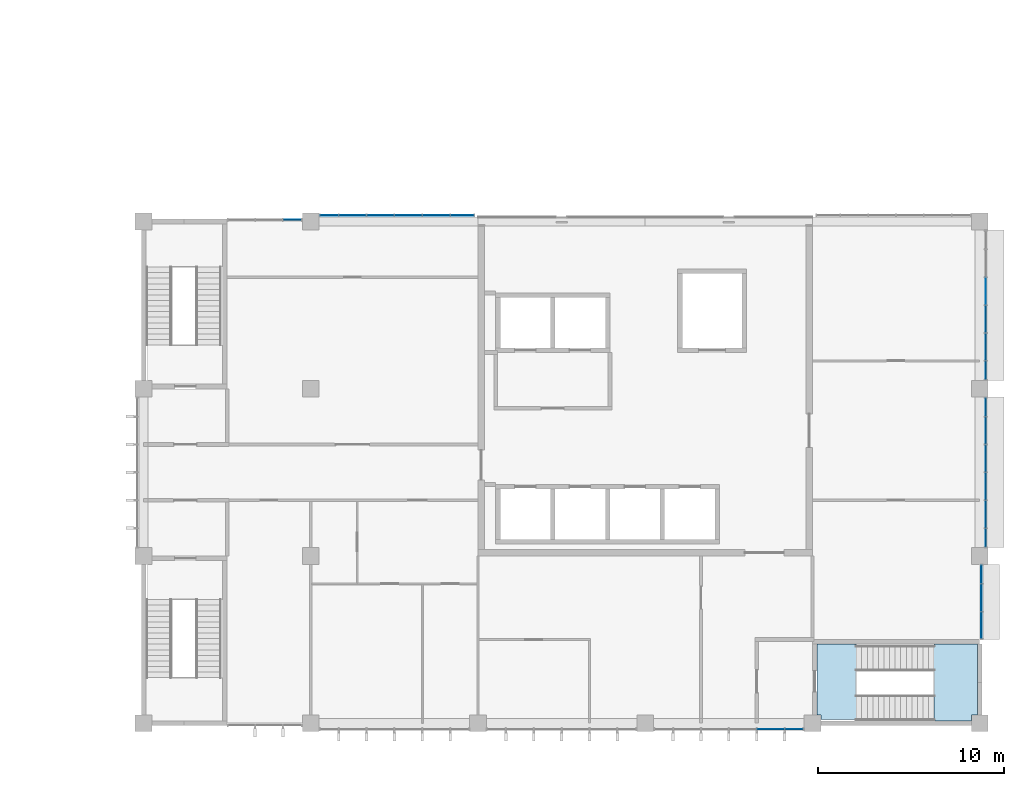
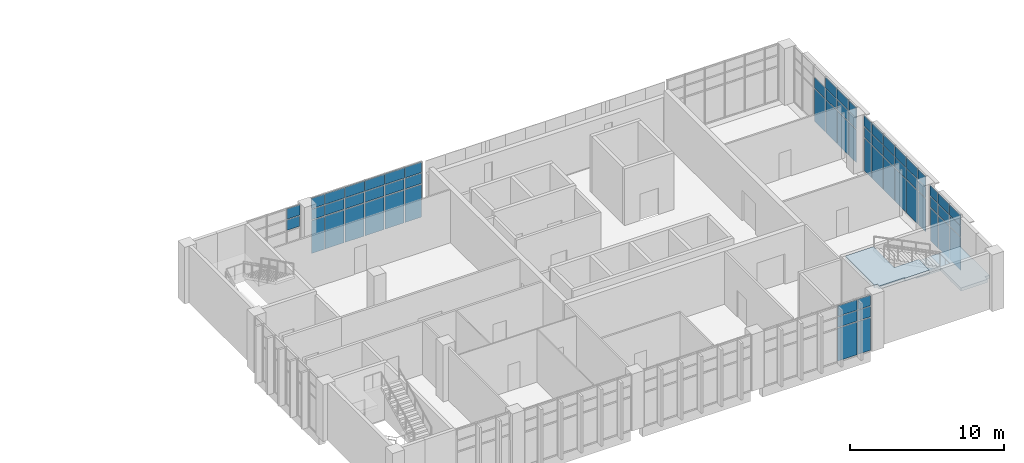
# One storey, part 24 of 45: 64 plates, 2 slabs, 7 elements without a shape of their own.
"""IFC4 building model written with IfcOpenShell, lengths in metres."""

from ifc_helpers import new_model, si_unit, direction, frame, origin, origin_2d, place, context, subcontext, project, spatial, polyline, rectangle, outline, extrude, material, layer, layer_set, type_object, element, aggregate, save


model = new_model("IFC4")

# Units and contexts
model_context = context("Model", 3, precision=1e-05, world=origin(), true_north=direction((0.0, 1.0)))
body_context = subcontext(model_context, "Body", "Model", "MODEL_VIEW")
ifc_project = project(units=[si_unit("LENGTHUNIT", "METRE"), si_unit("AREAUNIT", "SQUARE_METRE"), si_unit("VOLUMEUNIT", "CUBIC_METRE"), si_unit("PLANEANGLEUNIT", "RADIAN"), si_unit("MASSUNIT", "GRAM", prefix="KILO")], contexts=[model_context])

# Site, building, storey
site_placement = place(None, origin())
site = spatial("IfcSite", under=ifc_project, at=site_placement, CompositionType="ELEMENT")
building_placement = place(site_placement, origin())
building = spatial("IfcBuilding", under=site, at=building_placement, Name="Guidao Yard Department Store", CompositionType="ELEMENT")
storey_placement = place(building_placement, frame((0.0, 0.0, 19.5)))
storey = spatial("IfcBuildingStorey", under=building, at=storey_placement, Name="L04", CompositionType="ELEMENT", Elevation=19.5)

# Curtain wall, plates
ifc_material_1 = material(Name="Aluminium and glass", Category="aluminium")
ifc_layer_1 = layer(ifc_material_1, 0.159912109375)
ifc_layer_set_1 = layer_set([ifc_layer_1], Name="Unitised curtain wall CW4 1500 module")
curtain_wall_type = type_object("IfcCurtainWallType", Name="Unitised curtain wall CW4 1500 module", PredefinedType="NOTDEFINED", material=ifc_layer_set_1)
curtain_wall_1_placement = place(storey_placement, origin())
curtain_wall_1 = element("IfcCurtainWall", 1, at=curtain_wall_1_placement, inside=storey, type_object=curtain_wall_type, Name="Unitised curtain wall", PredefinedType="NOTDEFINED")
ifc_material_2 = material(Name="Aluminium 6063-T5 faced insulated spandrel", Category="aluminium")
ifc_layer_2 = layer(ifc_material_2, 0.06005859375)
ifc_layer_set_2 = layer_set([ifc_layer_2], Name="Spandrel panel SP1 insulated opaque")
plate_type_1 = type_object("IfcPlateType", Name="Spandrel panel SP1 insulated opaque", PredefinedType="CURTAIN_PANEL", material=ifc_layer_set_2)
plate_1_placement = place(storey_placement, frame((159.75, -0.330078125, 3.6298828125), z_axis=(0.0, 0.0, 1.0), x_axis=(-1.0, 0.0, 0.0)))
plate_1 = element("IfcPlate", 2, at=plate_1_placement, type_object=plate_type_1, Name="CW-OW-L04-04 panel 5.3", PredefinedType="CURTAIN_PANEL", context=body_context, shape_type="SweptSolid", body=[
    extrude(rectangle(XDim=1.43994140625, YDim=0.06005859375, at=origin_2d()), origin(), (0.0, 0.0, 1.0), 0.81005859375),
])
plate_2_placement = place(storey_placement, frame((161.010009765625, -0.330078125, 3.6298828125), z_axis=(0.0, 0.0, 1.0), x_axis=(-1.0, 0.0, 0.0)))
plate_2 = element("IfcPlate", 3, at=plate_2_placement, type_object=plate_type_1, Name="CW-OW-L04-04 panel 6.3", PredefinedType="CURTAIN_PANEL", context=body_context, shape_type="SweptSolid", body=[
    extrude(rectangle(XDim=0.9599609375, YDim=0.06005859375, at=origin_2d()), origin(), (0.0, 0.0, 1.0), 0.81005859375),
])

# Curtain wall, plate
curtain_wall_2_placement = place(storey_placement, origin())
curtain_wall_2 = element("IfcCurtainWall", 4, at=curtain_wall_2_placement, inside=storey, type_object=curtain_wall_type, Name="Unitised curtain wall", PredefinedType="NOTDEFINED")
plate_3_placement = place(storey_placement, frame((134.010009765625, 27.10009765625, 3.6298828125), z_axis=(0.0, 0.0, 1.0), x_axis=(1.0, 0.0, 0.0)))
plate_3 = element("IfcPlate", 5, at=plate_3_placement, type_object=plate_type_1, Name="CW-OW-L04-06 panel 3.3", PredefinedType="CURTAIN_PANEL", context=body_context, shape_type="SweptSolid", body=[
    extrude(rectangle(XDim=0.9599609375, YDim=0.06005859375, at=origin_2d()), origin(), (0.0, 0.0, 1.0), 0.81005859375),
])

# Curtain wall, plates
curtain_wall_3_placement = place(storey_placement, origin())
curtain_wall_3 = element("IfcCurtainWall", 6, at=curtain_wall_3_placement, inside=storey, type_object=curtain_wall_type, Name="Unitised curtain wall", PredefinedType="NOTDEFINED")
plate_4_placement = place(storey_placement, frame((135.989990234375, 27.330078125, 3.6298828125), z_axis=(0.0, 0.0, 1.0), x_axis=(1.0, 0.0, 0.0)))
plate_4 = element("IfcPlate", 7, at=plate_4_placement, type_object=plate_type_1, Name="CW-OW-L04-07 panel 1.3", PredefinedType="CURTAIN_PANEL", context=body_context, shape_type="SweptSolid", body=[
    extrude(rectangle(XDim=0.9599609375, YDim=0.06005859375, at=origin_2d()), origin(), (0.0, 0.0, 1.0), 0.81005859375),
])
plate_5_placement = place(storey_placement, frame((137.25, 27.330078125, 3.6298828125), z_axis=(0.0, 0.0, 1.0), x_axis=(1.0, 0.0, 0.0)))
plate_5 = element("IfcPlate", 8, at=plate_5_placement, type_object=plate_type_1, Name="CW-OW-L04-07 panel 2.3", PredefinedType="CURTAIN_PANEL", context=body_context, shape_type="SweptSolid", body=[
    extrude(rectangle(XDim=1.43994140625, YDim=0.06005859375, at=origin_2d()), origin(), (0.0, 0.0, 1.0), 0.81005859375),
])
plate_6_placement = place(storey_placement, frame((138.75, 27.330078125, 3.6298828125), z_axis=(0.0, 0.0, 1.0), x_axis=(1.0, 0.0, 0.0)))
plate_6 = element("IfcPlate", 9, at=plate_6_placement, type_object=plate_type_1, Name="CW-OW-L04-07 panel 3.3", PredefinedType="CURTAIN_PANEL", context=body_context, shape_type="SweptSolid", body=[
    extrude(rectangle(XDim=1.43994140625, YDim=0.06005859375, at=origin_2d()), origin(), (0.0, 0.0, 1.0), 0.81005859375),
])
plate_7_placement = place(storey_placement, frame((140.25, 27.330078125, 3.6298828125), z_axis=(0.0, 0.0, 1.0), x_axis=(1.0, 0.0, 0.0)))
plate_7 = element("IfcPlate", 10, at=plate_7_placement, type_object=plate_type_1, Name="CW-OW-L04-07 panel 4.3", PredefinedType="CURTAIN_PANEL", context=body_context, shape_type="SweptSolid", body=[
    extrude(rectangle(XDim=1.43994140625, YDim=0.06005859375, at=origin_2d()), origin(), (0.0, 0.0, 1.0), 0.81005859375),
])
plate_8_placement = place(storey_placement, frame((141.75, 27.330078125, 3.6298828125), z_axis=(0.0, 0.0, 1.0), x_axis=(1.0, 0.0, 0.0)))
plate_8 = element("IfcPlate", 11, at=plate_8_placement, type_object=plate_type_1, Name="CW-OW-L04-07 panel 5.3", PredefinedType="CURTAIN_PANEL", context=body_context, shape_type="SweptSolid", body=[
    extrude(rectangle(XDim=1.43994140625, YDim=0.06005859375, at=origin_2d()), origin(), (0.0, 0.0, 1.0), 0.81005859375),
])
plate_9_placement = place(storey_placement, frame((143.1474609375, 27.330078125, 3.6298828125), z_axis=(0.0, 0.0, 1.0), x_axis=(1.0, 0.0, 0.0)))
plate_9 = element("IfcPlate", 12, at=plate_9_placement, type_object=plate_type_1, Name="CW-OW-L04-07 panel 6.3", PredefinedType="CURTAIN_PANEL", context=body_context, shape_type="SweptSolid", body=[
    extrude(rectangle(XDim=1.235107421875, YDim=0.06005859375, at=origin_2d()), origin(), (0.0, 0.0, 1.0), 0.81005859375),
])

curtain_wall_4_placement = place(storey_placement, origin())
curtain_wall_4 = element("IfcCurtainWall", 13, at=curtain_wall_4_placement, inside=storey, type_object=curtain_wall_type, Name="Unitised curtain wall", PredefinedType="NOTDEFINED")
plate_10_placement = place(storey_placement, frame((171.10009765625, 5.264892578125, 3.6298828125), z_axis=(0.0, 0.0, 1.0), x_axis=(0.0, -1.0, 0.0)))
plate_10 = element("IfcPlate", 14, at=plate_10_placement, type_object=plate_type_1, Name="CW-OW-L04-09 panel 1.3", PredefinedType="CURTAIN_PANEL", context=body_context, shape_type="SweptSolid", body=[
    extrude(rectangle(XDim=1.409912109375, YDim=0.06005859375, at=origin_2d()), origin(), (0.0, 0.0, 1.0), 0.81005859375),
])
plate_11_placement = place(storey_placement, frame((171.10009765625, 6.75, 3.6298828125), z_axis=(0.0, 0.0, 1.0), x_axis=(0.0, -1.0, 0.0)))
plate_11 = element("IfcPlate", 15, at=plate_11_placement, type_object=plate_type_1, Name="CW-OW-L04-09 panel 2.3", PredefinedType="CURTAIN_PANEL", context=body_context, shape_type="SweptSolid", body=[
    extrude(rectangle(XDim=1.43994140625, YDim=0.06005859375, at=origin_2d()), origin(), (0.0, 0.0, 1.0), 0.81005859375),
])
plate_12_placement = place(storey_placement, frame((171.10009765625, 8.010009765625, 3.6298828125), z_axis=(0.0, 0.0, 1.0), x_axis=(0.0, -1.0, 0.0)))
plate_12 = element("IfcPlate", 16, at=plate_12_placement, type_object=plate_type_1, Name="CW-OW-L04-09 panel 3.3", PredefinedType="CURTAIN_PANEL", context=body_context, shape_type="SweptSolid", body=[
    extrude(rectangle(XDim=0.9599609375, YDim=0.06005859375, at=origin_2d()), origin(), (0.0, 0.0, 1.0), 0.81005859375),
])

curtain_wall_5_placement = place(storey_placement, origin())
curtain_wall_5 = element("IfcCurtainWall", 17, at=curtain_wall_5_placement, inside=storey, type_object=curtain_wall_type, Name="Unitised curtain wall", PredefinedType="NOTDEFINED")
plate_13_placement = place(storey_placement, frame((171.330078125, 9.989990234375, 3.6298828125), z_axis=(0.0, 0.0, 1.0), x_axis=(0.0, -1.0, 0.0)))
plate_13 = element("IfcPlate", 18, at=plate_13_placement, type_object=plate_type_1, Name="CW-OW-L04-10 panel 1.3", PredefinedType="CURTAIN_PANEL", context=body_context, shape_type="SweptSolid", body=[
    extrude(rectangle(XDim=0.9599609375, YDim=0.06005859375, at=origin_2d()), origin(), (0.0, 0.0, 1.0), 0.81005859375),
])
plate_14_placement = place(storey_placement, frame((171.330078125, 11.25, 3.6298828125), z_axis=(0.0, 0.0, 1.0), x_axis=(0.0, -1.0, 0.0)))
plate_14 = element("IfcPlate", 19, at=plate_14_placement, type_object=plate_type_1, Name="CW-OW-L04-10 panel 2.3", PredefinedType="CURTAIN_PANEL", context=body_context, shape_type="SweptSolid", body=[
    extrude(rectangle(XDim=1.43994140625, YDim=0.06005859375, at=origin_2d()), origin(), (0.0, 0.0, 1.0), 0.81005859375),
])
plate_15_placement = place(storey_placement, frame((171.330078125, 12.75, 3.6298828125), z_axis=(0.0, 0.0, 1.0), x_axis=(0.0, -1.0, 0.0)))
plate_15 = element("IfcPlate", 20, at=plate_15_placement, type_object=plate_type_1, Name="CW-OW-L04-10 panel 3.3", PredefinedType="CURTAIN_PANEL", context=body_context, shape_type="SweptSolid", body=[
    extrude(rectangle(XDim=1.43994140625, YDim=0.06005859375, at=origin_2d()), origin(), (0.0, 0.0, 1.0), 0.81005859375),
])
plate_16_placement = place(storey_placement, frame((171.330078125, 14.25, 3.6298828125), z_axis=(0.0, 0.0, 1.0), x_axis=(0.0, -1.0, 0.0)))
plate_16 = element("IfcPlate", 21, at=plate_16_placement, type_object=plate_type_1, Name="CW-OW-L04-10 panel 4.3", PredefinedType="CURTAIN_PANEL", context=body_context, shape_type="SweptSolid", body=[
    extrude(rectangle(XDim=1.43994140625, YDim=0.06005859375, at=origin_2d()), origin(), (0.0, 0.0, 1.0), 0.81005859375),
])
plate_17_placement = place(storey_placement, frame((171.330078125, 15.75, 3.6298828125), z_axis=(0.0, 0.0, 1.0), x_axis=(0.0, -1.0, 0.0)))
plate_17 = element("IfcPlate", 22, at=plate_17_placement, type_object=plate_type_1, Name="CW-OW-L04-10 panel 5.3", PredefinedType="CURTAIN_PANEL", context=body_context, shape_type="SweptSolid", body=[
    extrude(rectangle(XDim=1.43994140625, YDim=0.06005859375, at=origin_2d()), origin(), (0.0, 0.0, 1.0), 0.81005859375),
])
plate_18_placement = place(storey_placement, frame((171.330078125, 17.010009765625, 3.6298828125), z_axis=(0.0, 0.0, 1.0), x_axis=(0.0, -1.0, 0.0)))
plate_18 = element("IfcPlate", 23, at=plate_18_placement, type_object=plate_type_1, Name="CW-OW-L04-10 panel 6.3", PredefinedType="CURTAIN_PANEL", context=body_context, shape_type="SweptSolid", body=[
    extrude(rectangle(XDim=0.9599609375, YDim=0.06005859375, at=origin_2d()), origin(), (0.0, 0.0, 1.0), 0.81005859375),
])

curtain_wall_6_placement = place(storey_placement, origin())
curtain_wall_6 = element("IfcCurtainWall", 24, at=curtain_wall_6_placement, inside=storey, type_object=curtain_wall_type, Name="Unitised curtain wall", PredefinedType="NOTDEFINED")
plate_19_placement = place(storey_placement, frame((171.330078125, 18.989990234375, 3.6298828125), z_axis=(0.0, 0.0, 1.0), x_axis=(0.0, -1.0, 0.0)))
plate_19 = element("IfcPlate", 25, at=plate_19_placement, type_object=plate_type_1, Name="CW-OW-L04-11 panel 1.3", PredefinedType="CURTAIN_PANEL", context=body_context, shape_type="SweptSolid", body=[
    extrude(rectangle(XDim=0.9599609375, YDim=0.06005859375, at=origin_2d()), origin(), (0.0, 0.0, 1.0), 0.81005859375),
])
plate_20_placement = place(storey_placement, frame((171.330078125, 20.25, 3.6298828125), z_axis=(0.0, 0.0, 1.0), x_axis=(0.0, -1.0, 0.0)))
plate_20 = element("IfcPlate", 26, at=plate_20_placement, type_object=plate_type_1, Name="CW-OW-L04-11 panel 2.3", PredefinedType="CURTAIN_PANEL", context=body_context, shape_type="SweptSolid", body=[
    extrude(rectangle(XDim=1.43994140625, YDim=0.06005859375, at=origin_2d()), origin(), (0.0, 0.0, 1.0), 0.81005859375),
])
plate_21_placement = place(storey_placement, frame((171.330078125, 21.75, 3.6298828125), z_axis=(0.0, 0.0, 1.0), x_axis=(0.0, -1.0, 0.0)))
plate_21 = element("IfcPlate", 27, at=plate_21_placement, type_object=plate_type_1, Name="CW-OW-L04-11 panel 3.3", PredefinedType="CURTAIN_PANEL", context=body_context, shape_type="SweptSolid", body=[
    extrude(rectangle(XDim=1.43994140625, YDim=0.06005859375, at=origin_2d()), origin(), (0.0, 0.0, 1.0), 0.81005859375),
])

# Stair, slabs
ifc_material_3 = material(Name="Concrete C35", Category="concrete")
stair_type = type_object("IfcStairType", Name="Stair half-turn two-flight 1400 wide 4.5 m rise", PredefinedType="HALF_TURN_STAIR", material=ifc_material_3)
stair_placement = place(storey_placement, origin())
stair = element("IfcStair", 28, at=stair_placement, inside=storey, type_object=stair_type, Name="Stair O2 L04 to L05", PredefinedType="HALF_TURN_STAIR")
ifc_material_4 = material(Name="Concrete C35", Category="concrete")
ifc_layer_3 = layer(ifc_material_4, 0.25)
ifc_layer_set_3 = layer_set([ifc_layer_3], Name="Stair landing RC 250 C35")
slab_type = type_object("IfcSlabType", Name="Stair landing RC 250 C35", PredefinedType="LANDING", material=ifc_layer_set_3)
slab_1_placement = place(storey_placement, frame((0.0, 0.0, 2.0)))
slab_1 = element("IfcSlab", 29, at=slab_1_placement, type_object=slab_type, Name="SO2-L04 landing 1", PredefinedType="LANDING", context=body_context, shape_type="SweptSolid", body=[
    extrude(outline(polyline([(168.550048828125, 1.52490234375), (168.550048828125, 2.800048828125), (166.719970703125, 2.800048828125), (166.719970703125, 4.199951171875), (168.550048828125, 4.199951171875), (168.550048828125, 4.25), (170.875, 4.25), (170.875, 0.449951171875), (170.550048828125, 0.449951171875), (170.550048828125, 0.125), (168.550048828125, 0.125), (168.5400390625, 0.125), (168.5400390625, 1.52490234375), (168.550048828125, 1.52490234375)])), origin(), (0.0, 0.0, 1.0), 0.25),
])
slab_2_placement = place(storey_placement, frame((0.0, 0.0, 4.25)))
slab_2 = element("IfcSlab", 30, at=slab_2_placement, type_object=slab_type, Name="SO2-L04 landing 2", PredefinedType="LANDING", context=body_context, shape_type="SweptSolid", body=[
    extrude(outline(polyline([(164.35009765625, 0.125), (164.35009765625, 0.199951171875), (162.449951171875, 0.199951171875), (162.449951171875, 0.449951171875), (162.25, 0.449951171875), (162.25, 2.800048828125), (162.25, 4.25), (164.360107421875, 4.25), (164.360107421875, 2.800048828125), (164.35009765625, 2.800048828125), (164.35009765625, 1.52490234375), (166.179931640625, 1.52490234375), (166.179931640625, 0.125), (164.35009765625, 0.125)])), origin(), (0.0, 0.0, 1.0), 0.25),
])
aggregate(stair, [slab_1, slab_2])

# Plate
ifc_material_5 = material(Name="Laminated heat-soaked tempered glass", Category="glass")
ifc_layer_4 = layer(ifc_material_5, 0.017578125)
ifc_layer_set_4 = layer_set([ifc_layer_4], Name="Vision glass VG1 laminated heat-soaked tempered 8+8")
plate_type_2 = type_object("IfcPlateType", Name="Vision glass VG1 laminated heat-soaked tempered 8+8", PredefinedType="CURTAIN_PANEL", material=ifc_layer_set_4)
plate_22_placement = place(storey_placement, frame((159.75, -0.330078125, 0.06005859375), z_axis=(0.0, 0.0, 1.0), x_axis=(-1.0, 0.0, 0.0)))
plate_22 = element("IfcPlate", 31, at=plate_22_placement, type_object=plate_type_2, Name="CW-OW-L04-04 panel 5.1", PredefinedType="CURTAIN_PANEL", context=body_context, shape_type="SweptSolid", body=[
    extrude(rectangle(XDim=1.43994140625, YDim=0.017578125, at=origin_2d()), origin(), (0.0, 0.0, 1.0), 2.610107421875),
])

plate_23_placement = place(storey_placement, frame((159.75, -0.330078125, 2.72998046875), z_axis=(0.0, 0.0, 1.0), x_axis=(-1.0, 0.0, 0.0)))
plate_23 = element("IfcPlate", 32, at=plate_23_placement, type_object=plate_type_2, Name="CW-OW-L04-04 panel 5.2", PredefinedType="CURTAIN_PANEL", context=body_context, shape_type="SweptSolid", body=[
    extrude(rectangle(XDim=1.43994140625, YDim=0.017578125, at=origin_2d()), origin(), (0.0, 0.0, 1.0), 0.840087890625),
])

plate_24_placement = place(storey_placement, frame((161.010009765625, -0.330078125, 0.06005859375), z_axis=(0.0, 0.0, 1.0), x_axis=(-1.0, 0.0, 0.0)))
plate_24 = element("IfcPlate", 33, at=plate_24_placement, type_object=plate_type_2, Name="CW-OW-L04-04 panel 6.1", PredefinedType="CURTAIN_PANEL", context=body_context, shape_type="SweptSolid", body=[
    extrude(rectangle(XDim=0.9599609375, YDim=0.017578125, at=origin_2d()), origin(), (0.0, 0.0, 1.0), 2.610107421875),
])

plate_25_placement = place(storey_placement, frame((161.010009765625, -0.330078125, 2.72998046875), z_axis=(0.0, 0.0, 1.0), x_axis=(-1.0, 0.0, 0.0)))
plate_25 = element("IfcPlate", 34, at=plate_25_placement, type_object=plate_type_2, Name="CW-OW-L04-04 panel 6.2", PredefinedType="CURTAIN_PANEL", context=body_context, shape_type="SweptSolid", body=[
    extrude(rectangle(XDim=0.9599609375, YDim=0.017578125, at=origin_2d()), origin(), (0.0, 0.0, 1.0), 0.840087890625),
])

aggregate(curtain_wall_1, [plate_22, plate_23, plate_1, plate_24, plate_25, plate_2])

plate_26_placement = place(storey_placement, frame((134.010009765625, 27.10009765625, 2.72998046875), z_axis=(0.0, 0.0, 1.0), x_axis=(1.0, 0.0, 0.0)))
plate_26 = element("IfcPlate", 35, at=plate_26_placement, type_object=plate_type_2, Name="CW-OW-L04-06 panel 3.2", PredefinedType="CURTAIN_PANEL", context=body_context, shape_type="SweptSolid", body=[
    extrude(rectangle(XDim=0.9599609375, YDim=0.017578125, at=origin_2d()), origin(), (0.0, 0.0, 1.0), 0.840087890625),
])

aggregate(curtain_wall_2, [plate_26, plate_3])

plate_27_placement = place(storey_placement, frame((135.989990234375, 27.330078125, 0.06005859375), z_axis=(0.0, 0.0, 1.0), x_axis=(1.0, 0.0, 0.0)))
plate_27 = element("IfcPlate", 36, at=plate_27_placement, type_object=plate_type_2, Name="CW-OW-L04-07 panel 1.1", PredefinedType="CURTAIN_PANEL", context=body_context, shape_type="SweptSolid", body=[
    extrude(rectangle(XDim=0.9599609375, YDim=0.017578125, at=origin_2d()), origin(), (0.0, 0.0, 1.0), 2.610107421875),
])

plate_28_placement = place(storey_placement, frame((135.989990234375, 27.330078125, 2.72998046875), z_axis=(0.0, 0.0, 1.0), x_axis=(1.0, 0.0, 0.0)))
plate_28 = element("IfcPlate", 37, at=plate_28_placement, type_object=plate_type_2, Name="CW-OW-L04-07 panel 1.2", PredefinedType="CURTAIN_PANEL", context=body_context, shape_type="SweptSolid", body=[
    extrude(rectangle(XDim=0.9599609375, YDim=0.017578125, at=origin_2d()), origin(), (0.0, 0.0, 1.0), 0.840087890625),
])

plate_29_placement = place(storey_placement, frame((137.25, 27.330078125, 0.06005859375), z_axis=(0.0, 0.0, 1.0), x_axis=(1.0, 0.0, 0.0)))
plate_29 = element("IfcPlate", 38, at=plate_29_placement, type_object=plate_type_2, Name="CW-OW-L04-07 panel 2.1", PredefinedType="CURTAIN_PANEL", context=body_context, shape_type="SweptSolid", body=[
    extrude(rectangle(XDim=1.43994140625, YDim=0.017578125, at=origin_2d()), origin(), (0.0, 0.0, 1.0), 2.610107421875),
])

plate_30_placement = place(storey_placement, frame((137.25, 27.330078125, 2.72998046875), z_axis=(0.0, 0.0, 1.0), x_axis=(1.0, 0.0, 0.0)))
plate_30 = element("IfcPlate", 39, at=plate_30_placement, type_object=plate_type_2, Name="CW-OW-L04-07 panel 2.2", PredefinedType="CURTAIN_PANEL", context=body_context, shape_type="SweptSolid", body=[
    extrude(rectangle(XDim=1.43994140625, YDim=0.017578125, at=origin_2d()), origin(), (0.0, 0.0, 1.0), 0.840087890625),
])

plate_31_placement = place(storey_placement, frame((138.75, 27.330078125, 0.06005859375), z_axis=(0.0, 0.0, 1.0), x_axis=(1.0, 0.0, 0.0)))
plate_31 = element("IfcPlate", 40, at=plate_31_placement, type_object=plate_type_2, Name="CW-OW-L04-07 panel 3.1", PredefinedType="CURTAIN_PANEL", context=body_context, shape_type="SweptSolid", body=[
    extrude(rectangle(XDim=1.43994140625, YDim=0.017578125, at=origin_2d()), origin(), (0.0, 0.0, 1.0), 2.610107421875),
])

plate_32_placement = place(storey_placement, frame((138.75, 27.330078125, 2.72998046875), z_axis=(0.0, 0.0, 1.0), x_axis=(1.0, 0.0, 0.0)))
plate_32 = element("IfcPlate", 41, at=plate_32_placement, type_object=plate_type_2, Name="CW-OW-L04-07 panel 3.2", PredefinedType="CURTAIN_PANEL", context=body_context, shape_type="SweptSolid", body=[
    extrude(rectangle(XDim=1.43994140625, YDim=0.017578125, at=origin_2d()), origin(), (0.0, 0.0, 1.0), 0.840087890625),
])

plate_33_placement = place(storey_placement, frame((140.25, 27.330078125, 0.06005859375), z_axis=(0.0, 0.0, 1.0), x_axis=(1.0, 0.0, 0.0)))
plate_33 = element("IfcPlate", 42, at=plate_33_placement, type_object=plate_type_2, Name="CW-OW-L04-07 panel 4.1", PredefinedType="CURTAIN_PANEL", context=body_context, shape_type="SweptSolid", body=[
    extrude(rectangle(XDim=1.43994140625, YDim=0.017578125, at=origin_2d()), origin(), (0.0, 0.0, 1.0), 2.610107421875),
])

plate_34_placement = place(storey_placement, frame((140.25, 27.330078125, 2.72998046875), z_axis=(0.0, 0.0, 1.0), x_axis=(1.0, 0.0, 0.0)))
plate_34 = element("IfcPlate", 43, at=plate_34_placement, type_object=plate_type_2, Name="CW-OW-L04-07 panel 4.2", PredefinedType="CURTAIN_PANEL", context=body_context, shape_type="SweptSolid", body=[
    extrude(rectangle(XDim=1.43994140625, YDim=0.017578125, at=origin_2d()), origin(), (0.0, 0.0, 1.0), 0.840087890625),
])

plate_35_placement = place(storey_placement, frame((141.75, 27.330078125, 0.06005859375), z_axis=(0.0, 0.0, 1.0), x_axis=(1.0, 0.0, 0.0)))
plate_35 = element("IfcPlate", 44, at=plate_35_placement, type_object=plate_type_2, Name="CW-OW-L04-07 panel 5.1", PredefinedType="CURTAIN_PANEL", context=body_context, shape_type="SweptSolid", body=[
    extrude(rectangle(XDim=1.43994140625, YDim=0.017578125, at=origin_2d()), origin(), (0.0, 0.0, 1.0), 2.610107421875),
])

plate_36_placement = place(storey_placement, frame((141.75, 27.330078125, 2.72998046875), z_axis=(0.0, 0.0, 1.0), x_axis=(1.0, 0.0, 0.0)))
plate_36 = element("IfcPlate", 45, at=plate_36_placement, type_object=plate_type_2, Name="CW-OW-L04-07 panel 5.2", PredefinedType="CURTAIN_PANEL", context=body_context, shape_type="SweptSolid", body=[
    extrude(rectangle(XDim=1.43994140625, YDim=0.017578125, at=origin_2d()), origin(), (0.0, 0.0, 1.0), 0.840087890625),
])

plate_37_placement = place(storey_placement, frame((143.1474609375, 27.330078125, 0.06005859375), z_axis=(0.0, 0.0, 1.0), x_axis=(1.0, 0.0, 0.0)))
plate_37 = element("IfcPlate", 46, at=plate_37_placement, type_object=plate_type_2, Name="CW-OW-L04-07 panel 6.1", PredefinedType="CURTAIN_PANEL", context=body_context, shape_type="SweptSolid", body=[
    extrude(rectangle(XDim=1.235107421875, YDim=0.017578125, at=origin_2d()), origin(), (0.0, 0.0, 1.0), 2.610107421875),
])

plate_38_placement = place(storey_placement, frame((143.1474609375, 27.330078125, 2.72998046875), z_axis=(0.0, 0.0, 1.0), x_axis=(1.0, 0.0, 0.0)))
plate_38 = element("IfcPlate", 47, at=plate_38_placement, type_object=plate_type_2, Name="CW-OW-L04-07 panel 6.2", PredefinedType="CURTAIN_PANEL", context=body_context, shape_type="SweptSolid", body=[
    extrude(rectangle(XDim=1.235107421875, YDim=0.017578125, at=origin_2d()), origin(), (0.0, 0.0, 1.0), 0.840087890625),
])

aggregate(curtain_wall_3, [plate_27, plate_28, plate_4, plate_29, plate_30, plate_5, plate_31, plate_32, plate_6, plate_33, plate_34, plate_7, plate_35, plate_36, plate_8, plate_37, plate_38, plate_9])

plate_39_placement = place(storey_placement, frame((171.10009765625, 5.264892578125, 0.06005859375), z_axis=(0.0, 0.0, 1.0), x_axis=(0.0, -1.0, 0.0)))
plate_39 = element("IfcPlate", 48, at=plate_39_placement, type_object=plate_type_2, Name="CW-OW-L04-09 panel 1.1", PredefinedType="CURTAIN_PANEL", context=body_context, shape_type="SweptSolid", body=[
    extrude(rectangle(XDim=1.409912109375, YDim=0.017578125, at=origin_2d()), origin(), (0.0, 0.0, 1.0), 2.610107421875),
])

plate_40_placement = place(storey_placement, frame((171.10009765625, 5.264892578125, 2.72998046875), z_axis=(0.0, 0.0, 1.0), x_axis=(0.0, -1.0, 0.0)))
plate_40 = element("IfcPlate", 49, at=plate_40_placement, type_object=plate_type_2, Name="CW-OW-L04-09 panel 1.2", PredefinedType="CURTAIN_PANEL", context=body_context, shape_type="SweptSolid", body=[
    extrude(rectangle(XDim=1.409912109375, YDim=0.017578125, at=origin_2d()), origin(), (0.0, 0.0, 1.0), 0.840087890625),
])

plate_41_placement = place(storey_placement, frame((171.10009765625, 6.75, 0.06005859375), z_axis=(0.0, 0.0, 1.0), x_axis=(0.0, -1.0, 0.0)))
plate_41 = element("IfcPlate", 50, at=plate_41_placement, type_object=plate_type_2, Name="CW-OW-L04-09 panel 2.1", PredefinedType="CURTAIN_PANEL", context=body_context, shape_type="SweptSolid", body=[
    extrude(rectangle(XDim=1.43994140625, YDim=0.017578125, at=origin_2d()), origin(), (0.0, 0.0, 1.0), 2.610107421875),
])

plate_42_placement = place(storey_placement, frame((171.10009765625, 6.75, 2.72998046875), z_axis=(0.0, 0.0, 1.0), x_axis=(0.0, -1.0, 0.0)))
plate_42 = element("IfcPlate", 51, at=plate_42_placement, type_object=plate_type_2, Name="CW-OW-L04-09 panel 2.2", PredefinedType="CURTAIN_PANEL", context=body_context, shape_type="SweptSolid", body=[
    extrude(rectangle(XDim=1.43994140625, YDim=0.017578125, at=origin_2d()), origin(), (0.0, 0.0, 1.0), 0.840087890625),
])

plate_43_placement = place(storey_placement, frame((171.10009765625, 8.010009765625, 0.06005859375), z_axis=(0.0, 0.0, 1.0), x_axis=(0.0, -1.0, 0.0)))
plate_43 = element("IfcPlate", 52, at=plate_43_placement, type_object=plate_type_2, Name="CW-OW-L04-09 panel 3.1", PredefinedType="CURTAIN_PANEL", context=body_context, shape_type="SweptSolid", body=[
    extrude(rectangle(XDim=0.9599609375, YDim=0.017578125, at=origin_2d()), origin(), (0.0, 0.0, 1.0), 2.610107421875),
])

plate_44_placement = place(storey_placement, frame((171.10009765625, 8.010009765625, 2.72998046875), z_axis=(0.0, 0.0, 1.0), x_axis=(0.0, -1.0, 0.0)))
plate_44 = element("IfcPlate", 53, at=plate_44_placement, type_object=plate_type_2, Name="CW-OW-L04-09 panel 3.2", PredefinedType="CURTAIN_PANEL", context=body_context, shape_type="SweptSolid", body=[
    extrude(rectangle(XDim=0.9599609375, YDim=0.017578125, at=origin_2d()), origin(), (0.0, 0.0, 1.0), 0.840087890625),
])

aggregate(curtain_wall_4, [plate_39, plate_40, plate_10, plate_41, plate_42, plate_11, plate_43, plate_44, plate_12])

plate_45_placement = place(storey_placement, frame((171.330078125, 9.989990234375, 0.06005859375), z_axis=(0.0, 0.0, 1.0), x_axis=(0.0, -1.0, 0.0)))
plate_45 = element("IfcPlate", 54, at=plate_45_placement, type_object=plate_type_2, Name="CW-OW-L04-10 panel 1.1", PredefinedType="CURTAIN_PANEL", context=body_context, shape_type="SweptSolid", body=[
    extrude(rectangle(XDim=0.9599609375, YDim=0.017578125, at=origin_2d()), origin(), (0.0, 0.0, 1.0), 2.610107421875),
])

plate_46_placement = place(storey_placement, frame((171.330078125, 9.989990234375, 2.72998046875), z_axis=(0.0, 0.0, 1.0), x_axis=(0.0, -1.0, 0.0)))
plate_46 = element("IfcPlate", 55, at=plate_46_placement, type_object=plate_type_2, Name="CW-OW-L04-10 panel 1.2", PredefinedType="CURTAIN_PANEL", context=body_context, shape_type="SweptSolid", body=[
    extrude(rectangle(XDim=0.9599609375, YDim=0.017578125, at=origin_2d()), origin(), (0.0, 0.0, 1.0), 0.840087890625),
])

plate_47_placement = place(storey_placement, frame((171.330078125, 11.25, 0.06005859375), z_axis=(0.0, 0.0, 1.0), x_axis=(0.0, -1.0, 0.0)))
plate_47 = element("IfcPlate", 56, at=plate_47_placement, type_object=plate_type_2, Name="CW-OW-L04-10 panel 2.1", PredefinedType="CURTAIN_PANEL", context=body_context, shape_type="SweptSolid", body=[
    extrude(rectangle(XDim=1.43994140625, YDim=0.017578125, at=origin_2d()), origin(), (0.0, 0.0, 1.0), 2.610107421875),
])

plate_48_placement = place(storey_placement, frame((171.330078125, 11.25, 2.72998046875), z_axis=(0.0, 0.0, 1.0), x_axis=(0.0, -1.0, 0.0)))
plate_48 = element("IfcPlate", 57, at=plate_48_placement, type_object=plate_type_2, Name="CW-OW-L04-10 panel 2.2", PredefinedType="CURTAIN_PANEL", context=body_context, shape_type="SweptSolid", body=[
    extrude(rectangle(XDim=1.43994140625, YDim=0.017578125, at=origin_2d()), origin(), (0.0, 0.0, 1.0), 0.840087890625),
])

plate_49_placement = place(storey_placement, frame((171.330078125, 12.75, 0.06005859375), z_axis=(0.0, 0.0, 1.0), x_axis=(0.0, -1.0, 0.0)))
plate_49 = element("IfcPlate", 58, at=plate_49_placement, type_object=plate_type_2, Name="CW-OW-L04-10 panel 3.1", PredefinedType="CURTAIN_PANEL", context=body_context, shape_type="SweptSolid", body=[
    extrude(rectangle(XDim=1.43994140625, YDim=0.017578125, at=origin_2d()), origin(), (0.0, 0.0, 1.0), 2.610107421875),
])

plate_50_placement = place(storey_placement, frame((171.330078125, 12.75, 2.72998046875), z_axis=(0.0, 0.0, 1.0), x_axis=(0.0, -1.0, 0.0)))
plate_50 = element("IfcPlate", 59, at=plate_50_placement, type_object=plate_type_2, Name="CW-OW-L04-10 panel 3.2", PredefinedType="CURTAIN_PANEL", context=body_context, shape_type="SweptSolid", body=[
    extrude(rectangle(XDim=1.43994140625, YDim=0.017578125, at=origin_2d()), origin(), (0.0, 0.0, 1.0), 0.840087890625),
])

plate_51_placement = place(storey_placement, frame((171.330078125, 14.25, 0.06005859375), z_axis=(0.0, 0.0, 1.0), x_axis=(0.0, -1.0, 0.0)))
plate_51 = element("IfcPlate", 60, at=plate_51_placement, type_object=plate_type_2, Name="CW-OW-L04-10 panel 4.1", PredefinedType="CURTAIN_PANEL", context=body_context, shape_type="SweptSolid", body=[
    extrude(rectangle(XDim=1.43994140625, YDim=0.017578125, at=origin_2d()), origin(), (0.0, 0.0, 1.0), 2.610107421875),
])

plate_52_placement = place(storey_placement, frame((171.330078125, 14.25, 2.72998046875), z_axis=(0.0, 0.0, 1.0), x_axis=(0.0, -1.0, 0.0)))
plate_52 = element("IfcPlate", 61, at=plate_52_placement, type_object=plate_type_2, Name="CW-OW-L04-10 panel 4.2", PredefinedType="CURTAIN_PANEL", context=body_context, shape_type="SweptSolid", body=[
    extrude(rectangle(XDim=1.43994140625, YDim=0.017578125, at=origin_2d()), origin(), (0.0, 0.0, 1.0), 0.840087890625),
])

plate_53_placement = place(storey_placement, frame((171.330078125, 15.75, 0.06005859375), z_axis=(0.0, 0.0, 1.0), x_axis=(0.0, -1.0, 0.0)))
plate_53 = element("IfcPlate", 62, at=plate_53_placement, type_object=plate_type_2, Name="CW-OW-L04-10 panel 5.1", PredefinedType="CURTAIN_PANEL", context=body_context, shape_type="SweptSolid", body=[
    extrude(rectangle(XDim=1.43994140625, YDim=0.017578125, at=origin_2d()), origin(), (0.0, 0.0, 1.0), 2.610107421875),
])

plate_54_placement = place(storey_placement, frame((171.330078125, 15.75, 2.72998046875), z_axis=(0.0, 0.0, 1.0), x_axis=(0.0, -1.0, 0.0)))
plate_54 = element("IfcPlate", 63, at=plate_54_placement, type_object=plate_type_2, Name="CW-OW-L04-10 panel 5.2", PredefinedType="CURTAIN_PANEL", context=body_context, shape_type="SweptSolid", body=[
    extrude(rectangle(XDim=1.43994140625, YDim=0.017578125, at=origin_2d()), origin(), (0.0, 0.0, 1.0), 0.840087890625),
])

plate_55_placement = place(storey_placement, frame((171.330078125, 17.010009765625, 0.06005859375), z_axis=(0.0, 0.0, 1.0), x_axis=(0.0, -1.0, 0.0)))
plate_55 = element("IfcPlate", 64, at=plate_55_placement, type_object=plate_type_2, Name="CW-OW-L04-10 panel 6.1", PredefinedType="CURTAIN_PANEL", context=body_context, shape_type="SweptSolid", body=[
    extrude(rectangle(XDim=0.9599609375, YDim=0.017578125, at=origin_2d()), origin(), (0.0, 0.0, 1.0), 2.610107421875),
])

plate_56_placement = place(storey_placement, frame((171.330078125, 17.010009765625, 2.72998046875), z_axis=(0.0, 0.0, 1.0), x_axis=(0.0, -1.0, 0.0)))
plate_56 = element("IfcPlate", 65, at=plate_56_placement, type_object=plate_type_2, Name="CW-OW-L04-10 panel 6.2", PredefinedType="CURTAIN_PANEL", context=body_context, shape_type="SweptSolid", body=[
    extrude(rectangle(XDim=0.9599609375, YDim=0.017578125, at=origin_2d()), origin(), (0.0, 0.0, 1.0), 0.840087890625),
])

aggregate(curtain_wall_5, [plate_45, plate_46, plate_13, plate_47, plate_48, plate_14, plate_49, plate_50, plate_15, plate_51, plate_52, plate_16, plate_53, plate_54, plate_17, plate_55, plate_56, plate_18])

plate_57_placement = place(storey_placement, frame((171.330078125, 18.989990234375, 0.06005859375), z_axis=(0.0, 0.0, 1.0), x_axis=(0.0, -1.0, 0.0)))
plate_57 = element("IfcPlate", 66, at=plate_57_placement, type_object=plate_type_2, Name="CW-OW-L04-11 panel 1.1", PredefinedType="CURTAIN_PANEL", context=body_context, shape_type="SweptSolid", body=[
    extrude(rectangle(XDim=0.9599609375, YDim=0.017578125, at=origin_2d()), origin(), (0.0, 0.0, 1.0), 2.610107421875),
])

plate_58_placement = place(storey_placement, frame((171.330078125, 18.989990234375, 2.72998046875), z_axis=(0.0, 0.0, 1.0), x_axis=(0.0, -1.0, 0.0)))
plate_58 = element("IfcPlate", 67, at=plate_58_placement, type_object=plate_type_2, Name="CW-OW-L04-11 panel 1.2", PredefinedType="CURTAIN_PANEL", context=body_context, shape_type="SweptSolid", body=[
    extrude(rectangle(XDim=0.9599609375, YDim=0.017578125, at=origin_2d()), origin(), (0.0, 0.0, 1.0), 0.840087890625),
])

plate_59_placement = place(storey_placement, frame((171.330078125, 20.25, 0.06005859375), z_axis=(0.0, 0.0, 1.0), x_axis=(0.0, -1.0, 0.0)))
plate_59 = element("IfcPlate", 68, at=plate_59_placement, type_object=plate_type_2, Name="CW-OW-L04-11 panel 2.1", PredefinedType="CURTAIN_PANEL", context=body_context, shape_type="SweptSolid", body=[
    extrude(rectangle(XDim=1.43994140625, YDim=0.017578125, at=origin_2d()), origin(), (0.0, 0.0, 1.0), 2.610107421875),
])

plate_60_placement = place(storey_placement, frame((171.330078125, 20.25, 2.72998046875), z_axis=(0.0, 0.0, 1.0), x_axis=(0.0, -1.0, 0.0)))
plate_60 = element("IfcPlate", 69, at=plate_60_placement, type_object=plate_type_2, Name="CW-OW-L04-11 panel 2.2", PredefinedType="CURTAIN_PANEL", context=body_context, shape_type="SweptSolid", body=[
    extrude(rectangle(XDim=1.43994140625, YDim=0.017578125, at=origin_2d()), origin(), (0.0, 0.0, 1.0), 0.840087890625),
])

plate_61_placement = place(storey_placement, frame((171.330078125, 21.75, 0.06005859375), z_axis=(0.0, 0.0, 1.0), x_axis=(0.0, -1.0, 0.0)))
plate_61 = element("IfcPlate", 70, at=plate_61_placement, type_object=plate_type_2, Name="CW-OW-L04-11 panel 3.1", PredefinedType="CURTAIN_PANEL", context=body_context, shape_type="SweptSolid", body=[
    extrude(rectangle(XDim=1.43994140625, YDim=0.017578125, at=origin_2d()), origin(), (0.0, 0.0, 1.0), 2.610107421875),
])

plate_62_placement = place(storey_placement, frame((171.330078125, 21.75, 2.72998046875), z_axis=(0.0, 0.0, 1.0), x_axis=(0.0, -1.0, 0.0)))
plate_62 = element("IfcPlate", 71, at=plate_62_placement, type_object=plate_type_2, Name="CW-OW-L04-11 panel 3.2", PredefinedType="CURTAIN_PANEL", context=body_context, shape_type="SweptSolid", body=[
    extrude(rectangle(XDim=1.43994140625, YDim=0.017578125, at=origin_2d()), origin(), (0.0, 0.0, 1.0), 0.840087890625),
])

plate_63_placement = place(storey_placement, frame((171.330078125, 23.25, 0.06005859375), z_axis=(0.0, 0.0, 1.0), x_axis=(0.0, -1.0, 0.0)))
plate_63 = element("IfcPlate", 72, at=plate_63_placement, type_object=plate_type_2, Name="CW-OW-L04-11 panel 4.1", PredefinedType="CURTAIN_PANEL", context=body_context, shape_type="SweptSolid", body=[
    extrude(rectangle(XDim=1.43994140625, YDim=0.017578125, at=origin_2d()), origin(), (0.0, 0.0, 1.0), 2.610107421875),
])

plate_64_placement = place(storey_placement, frame((171.330078125, 23.25, 2.72998046875), z_axis=(0.0, 0.0, 1.0), x_axis=(0.0, -1.0, 0.0)))
plate_64 = element("IfcPlate", 73, at=plate_64_placement, type_object=plate_type_2, Name="CW-OW-L04-11 panel 4.2", PredefinedType="CURTAIN_PANEL", context=body_context, shape_type="SweptSolid", body=[
    extrude(rectangle(XDim=1.43994140625, YDim=0.017578125, at=origin_2d()), origin(), (0.0, 0.0, 1.0), 0.840087890625),
])

aggregate(curtain_wall_6, [plate_57, plate_58, plate_19, plate_59, plate_60, plate_20, plate_61, plate_62, plate_21, plate_63, plate_64])

save(model, "model.ifc")
